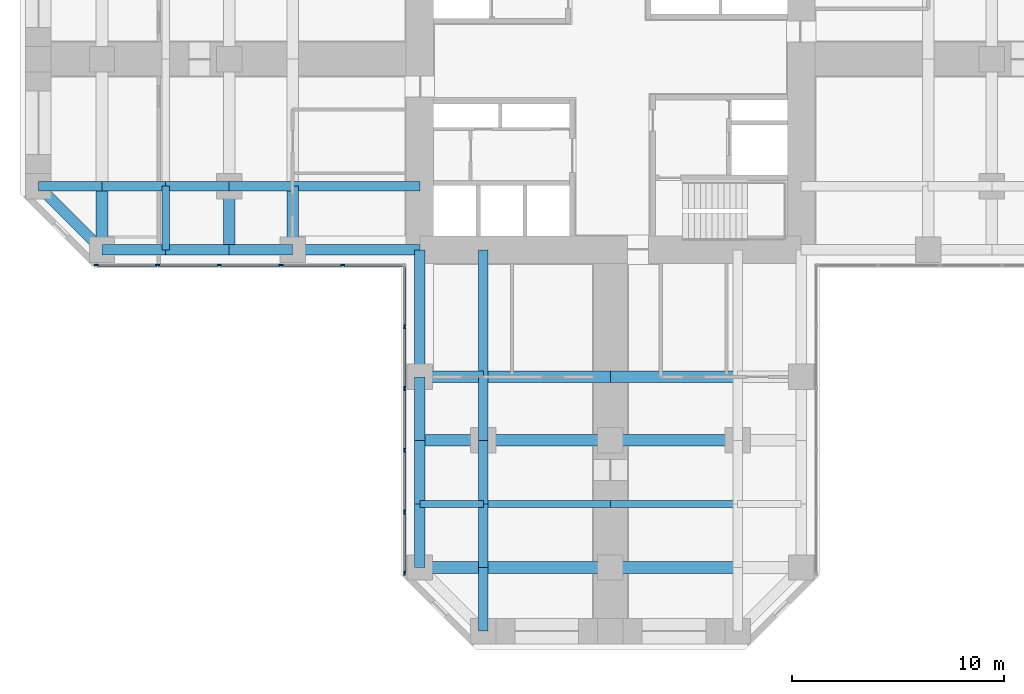
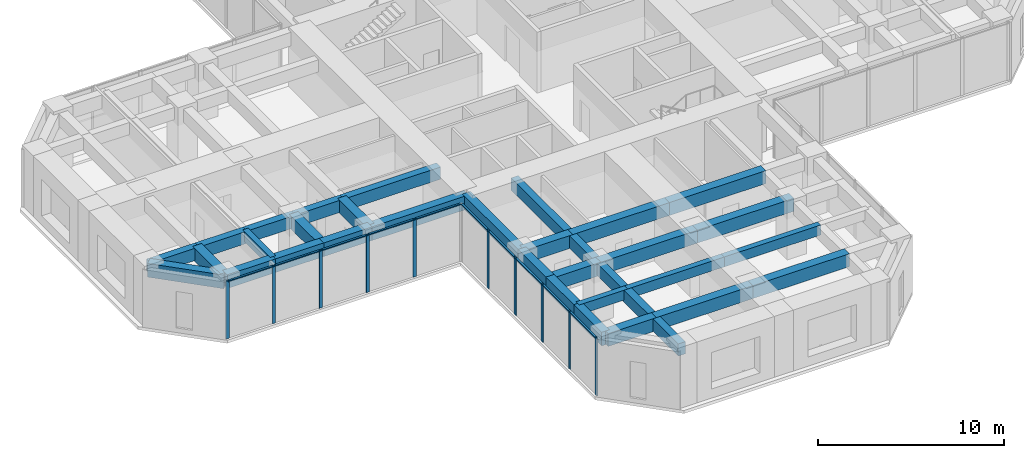
# One storey, part 2 of 12: 35 beams, 20 members, 2 elements without a shape of their own.
"""IFC4 building model written with IfcOpenShell, lengths in metres."""

import ifcopenshell
import ifcopenshell.guid

model = None  # the IFC model being written
_history = None  # IfcOwnerHistory: only IFC2X3 demands one
_inside = {}  # id of a spatial element -> (the spatial element, [elements in it])
_under = {}  # id of a project, library or spatial element -> (it, [spatial elements below it])
_declared = {}  # id of a project -> (the project, [libraries it declares])
_typed = {}  # id of a type object -> (the type object, [elements of that type])
_made_of = {}  # id of a material, layer set ... -> (it, [elements and type objects made of it])


def new_model(schema):
    """Start an empty IFC model of exactly this schema.

    Asked for "IFC4X3", IfcOpenShell would pick the latest addendum, in which some entities
    have other attributes; the version numbers below select the first issue.
    IFC2X3 requires an IfcOwnerHistory on every rooted entity: one is made here for all.
    """
    global model, _history
    if schema == "IFC4X3":
        model = ifcopenshell.file(schema_version=(4, 3, 0, 0))
    else:
        model = ifcopenshell.file(schema=schema)
    _inside.clear()
    _under.clear()
    _declared.clear()
    _typed.clear()
    _made_of.clear()
    _history = None
    if model.schema == "IFC2X3":
        org = make("IfcOrganization", Name="unknown")
        user = make(
            "IfcPersonAndOrganization",
            ThePerson=make("IfcPerson", FamilyName="unknown"),
            TheOrganization=org,
        )
        app = make(
            "IfcApplication",
            ApplicationDeveloper=org,
            Version="unknown",
            ApplicationFullName="unknown",
            ApplicationIdentifier="unknown",
        )
        _history = make(
            "IfcOwnerHistory",
            OwningUser=user,
            OwningApplication=app,
            ChangeAction="ADDED",
            CreationDate=0,
        )
    return model


def make(cls, **values):
    """One entity of the class cls with the attributes given. An attribute that is None is left unset."""
    return model.create_entity(
        cls, **{name: value for name, value in values.items() if value is not None}
    )


def rooted(cls, **values):
    """An entity with a GlobalId (a new one), such as an element, a storey or a relation."""
    return make(cls, GlobalId=ifcopenshell.guid.new(), OwnerHistory=_history, **values)


def si_unit(unit_type, name, prefix=None):
    """IfcSIUnit, for example si_unit("LENGTHUNIT", "METRE", prefix="MILLI")."""
    return make("IfcSIUnit", UnitType=unit_type, Prefix=prefix, Name=name)


def assignment(units):
    """IfcUnitAssignment: the units of a project."""
    return None if units is None else make("IfcUnitAssignment", Units=units)


def point(xyz):
    """IfcCartesianPoint."""
    return None if xyz is None else make("IfcCartesianPoint", Coordinates=xyz)


def direction(xyz):
    """IfcDirection."""
    return None if xyz is None else make("IfcDirection", DirectionRatios=xyz)


def frame(location, z_axis=None, x_axis=None):
    """IfcAxis2Placement3D, a coordinate frame: its origin and axes. An axis left out is left unset."""
    return make(
        "IfcAxis2Placement3D",
        Location=point(location),
        Axis=direction(z_axis),
        RefDirection=direction(x_axis),
    )


def frame_2d(location, x_axis=None):
    """IfcAxis2Placement2D, a coordinate frame in the plane: its origin and x axis."""
    return make(
        "IfcAxis2Placement2D", Location=point(location), RefDirection=direction(x_axis)
    )


def origin():
    """The frame at (0, 0, 0) with its axes left unset."""
    return frame((0.0, 0.0, 0.0))


def origin_2d():
    """The frame at (0, 0) in the plane with its x axis left unset."""
    return frame_2d((0.0, 0.0))


def place(relative_to, where):
    """IfcLocalPlacement: puts the frame where relative to a parent placement (None: the world)."""
    return make(
        "IfcLocalPlacement", PlacementRelTo=relative_to, RelativePlacement=where
    )


def context(
    kind, dimensions, precision=None, world=None, true_north=None, identifier=None
):
    """IfcGeometricRepresentationContext, for example the 3D "Model" context."""
    return make(
        "IfcGeometricRepresentationContext",
        ContextIdentifier=identifier,
        ContextType=kind,
        CoordinateSpaceDimension=dimensions,
        Precision=precision,
        WorldCoordinateSystem=world,
        TrueNorth=true_north,
    )


def subcontext(parent, identifier, kind, view, scale=None):
    """IfcGeometricRepresentationSubContext, for example "Body" below "Model"."""
    return make(
        "IfcGeometricRepresentationSubContext",
        ContextIdentifier=identifier,
        ContextType=kind,
        ParentContext=parent,
        TargetScale=scale,
        TargetView=view,
    )


def project(units=None, contexts=None):
    """IfcProject with its units and contexts."""
    return rooted(
        "IfcProject",
        Name="project",
        RepresentationContexts=contexts,
        UnitsInContext=assignment(units),
    )


def spatial(cls, under=None, at=None, **own):
    """A site, building, storey or space (cls), placed at a placement, below another one or the project."""
    s = rooted(cls, ObjectPlacement=at, **own)
    if under is not None:
        _under.setdefault(under.id(), (under, []))[1].append(s)
    return s


def profile(cls, at=None, kind="AREA", **sizes):
    """A parametric profile (cls). Its sizes go by their IFC names, for example OverallWidth=200.0."""
    return make(cls, ProfileType=kind, Position=at, **sizes)


def rectangle(**sizes):
    """IfcRectangleProfileDef."""
    return profile("IfcRectangleProfileDef", **sizes)


def extrude(swept, where, along, depth):
    """IfcExtrudedAreaSolid: the profile swept, set in the frame where, extruded along a direction by depth."""
    return make(
        "IfcExtrudedAreaSolid",
        SweptArea=swept,
        Position=where,
        ExtrudedDirection=direction(along),
        Depth=depth,
    )


def shape(context_of_items, identifier, shape_type, items):
    """IfcShapeRepresentation: the items that make up one representation, for example the "Body"."""
    return make(
        "IfcShapeRepresentation",
        ContextOfItems=context_of_items,
        RepresentationIdentifier=identifier,
        RepresentationType=shape_type,
        Items=items,
    )


def material(Name=None, Category=None):
    """IfcMaterial."""
    return make("IfcMaterial", Name=Name, Category=Category)


def material_profile(
    of_material, cross_section, Name=None, Category=None, Priority=None
):
    """IfcMaterialProfile: a cross section and its material."""
    return make(
        "IfcMaterialProfile",
        Name=Name,
        Material=of_material,
        Profile=cross_section,
        Priority=Priority,
        Category=Category,
    )


def profile_set(profiles, Name=None, composite=None):
    """IfcMaterialProfileSet."""
    return make(
        "IfcMaterialProfileSet",
        Name=Name,
        MaterialProfiles=profiles,
        CompositeProfile=composite,
    )


def made_of(thing, what):
    """Note that an element or type object is made of a material, layer set ...; save() writes the relation."""
    if what is not None:
        _made_of.setdefault(what.id(), (what, []))[1].append(thing)
    return thing


def type_object(cls, material=None, **own):
    """A type object (cls), such as IfcWallType, which elements share."""
    return made_of(rooted(cls, **own), material)


def element(
    cls,
    number,
    at=None,
    inside=None,
    cuts=None,
    type_object=None,
    material=None,
    context=None,
    identifier="Body",
    shape_type=None,
    held_by="IfcProductDefinitionShape",
    body=None,
    shapes=None,
    **own,
):
    """One element of the class cls, such as IfcWall. Its Tag is "e" and its number.

    at: its placement. inside: the storey or other place that contains it. cuts: it is an
    opening in that element (IfcRelVoidsElement). A single representation is given by context,
    identifier, shape_type and body (its items); several are given by shapes. held_by: the class
    of the entity that holds the representations. save() writes the other relations.
    """
    e = rooted(cls, Tag="e%d" % number, ObjectPlacement=at, **own)
    if body is not None:
        shapes = [shape(context, identifier, shape_type, body)]
    if shapes is not None:
        e.Representation = make(held_by, Representations=shapes)
    if inside is not None:
        _inside.setdefault(inside.id(), (inside, []))[1].append(e)
    if cuts is not None:
        rooted(
            "IfcRelVoidsElement", RelatingBuildingElement=cuts, RelatedOpeningElement=e
        )
    if type_object is not None:
        _typed.setdefault(type_object.id(), (type_object, []))[1].append(e)
    return made_of(e, material)


def aggregate(whole, parts):
    """IfcRelAggregates: a whole, such as a stair, and the parts it consists of."""
    return rooted("IfcRelAggregates", RelatingObject=whole, RelatedObjects=parts)


def save(model, path):
    """Write the relations noted so far, then the file.

    IfcRelAggregates (storeys below a building ...), IfcRelContainedInSpatialStructure (elements
    in a storey), IfcRelDefinesByType, IfcRelAssociatesMaterial and IfcRelDeclares: one each for
    every whole, place, type object, material and project.
    """
    for whole, parts in _under.values():
        aggregate(whole, parts)
    for where, things in _inside.values():
        rooted(
            "IfcRelContainedInSpatialStructure",
            RelatedElements=things,
            RelatingStructure=where,
        )
    for kind, things in _typed.values():
        rooted("IfcRelDefinesByType", RelatedObjects=things, RelatingType=kind)
    for what, things in _made_of.values():
        rooted("IfcRelAssociatesMaterial", RelatedObjects=things, RelatingMaterial=what)
    for by, libraries in _declared.values():
        rooted("IfcRelDeclares", RelatingContext=by, RelatedDefinitions=libraries)
    model.write(path)


model = new_model("IFC4")

# Units and contexts
model_context = context("Model", 3, precision=1e-05, world=origin(), true_north=direction((0.0, 1.0)))
body_context = subcontext(model_context, "Body", "Model", "MODEL_VIEW")
ifc_project = project(units=[si_unit("LENGTHUNIT", "METRE"), si_unit("AREAUNIT", "SQUARE_METRE"), si_unit("VOLUMEUNIT", "CUBIC_METRE"), si_unit("PLANEANGLEUNIT", "RADIAN"), si_unit("MASSUNIT", "GRAM", prefix="KILO")], contexts=[model_context])

# Site, building, storey
site_placement = place(None, origin())
site = spatial("IfcSite", under=ifc_project, at=site_placement, CompositionType="ELEMENT")
building_placement = place(site_placement, origin())
building = spatial("IfcBuilding", under=site, at=building_placement, Name="Torre Cruceta", CompositionType="ELEMENT")
storey_placement = place(building_placement, frame((0.0, 0.0, 35.5)))
storey = spatial("IfcBuildingStorey", under=building, at=storey_placement, Name="L08", CompositionType="ELEMENT", Elevation=35.5)

# Beams
ifc_material_1 = material(Name="Concrete G60 (fck 60 MPa)", Category="concrete")
ifc_material_profile_1 = material_profile(ifc_material_1, rectangle(XDim=0.449951171875, YDim=0.800048828125, at=origin_2d()), Name="RC 450X800")
ifc_profile_set_1 = profile_set([ifc_material_profile_1], Name="Concrete G60 (fck 60 MPa)")
beam_type_1 = type_object("IfcBeamType", Name="COLUMN LINE BEAM RC 450X800", PredefinedType="BEAM", material=ifc_profile_set_1)
beam_1_placement = place(storey_placement, frame((-6.0, -9.0, 3.39990234375), z_axis=(0.0, -1.0, 0.0), x_axis=(1.0, 0.0, 0.0)))
element("IfcBeam", 1, at=beam_1_placement, inside=storey, type_object=beam_type_1, Name="LB1 L08 S col- 1", PredefinedType="BEAM", context=body_context, shape_type="SweptSolid", body=[
    extrude(rectangle(XDim=0.449951171875, YDim=0.800048828125, at=origin_2d()), origin(), (0.0, 0.0, 1.0), 6.0),
])
for number, where, z_axis, x_axis, name in (
    (2, (-6.0, -15.0, 3.39990234375), (0.0, -1.0, 0.0), (1.0, 0.0, 0.0), "LB1 L08 S col- 2"),
    (3, (-6.0, -18.0, 3.39990234375), (0.0, -1.0, 0.0), (1.0, 0.0, 0.0), "LB1 L08 S col- 3"),
    (4, (-6.0, -21.0, 3.39990234375), (0.0, -1.0, 0.0), (1.0, 0.0, 0.0), "LB1 L08 S col- 4"),
    (5, (-6.0, -24.0, 3.39990234375), (0.0, -1.0, 0.0), (1.0, 0.0, 0.0), "LB1 L08 S col- 5"),
):
    element("IfcBeam", number, at=place(storey_placement, frame(where, z_axis=z_axis, x_axis=x_axis)), inside=storey, type_object=beam_type_1, Name=name, PredefinedType="BEAM", context=body_context, shape_type="SweptSolid", body=[
        extrude(rectangle(XDim=0.449951171875, YDim=0.800048828125, at=origin_2d()), origin(), (0.0, 0.0, 1.0), 3.0),
    ])
beam_2_placement = place(storey_placement, frame((-9.0, -6.0, 3.39990234375), z_axis=(-1.0, 0.0, 0.0), x_axis=(0.0, -1.0, 0.0)))
element("IfcBeam", 6, at=beam_2_placement, inside=storey, type_object=beam_type_1, Name="LB1 L08 W col+ 1", PredefinedType="BEAM", context=body_context, shape_type="SweptSolid", body=[
    extrude(rectangle(XDim=0.449951171875, YDim=0.800048828125, at=origin_2d()), origin(), (0.0, 0.0, 1.0), 6.0),
])
for number, where, z_axis, x_axis, name in (
    (7, (-15.0, -6.0, 3.39990234375), (-1.0, 0.0, 0.0), (0.0, -1.0, 0.0), "LB1 L08 W col+ 2"),
    (8, (-18.0, -6.0, 3.39990234375), (-1.0, 0.0, 0.0), (0.0, -1.0, 0.0), "LB1 L08 W col+ 3"),
    (9, (-21.0, -6.0, 3.39990234375), (-1.0, 0.0, 0.0), (0.0, -1.0, 0.0), "LB1 L08 W col+ 4"),
    (10, (-24.0, -6.0, 3.39990234375), (-1.0, 0.0, 0.0), (0.0, -1.0, 0.0), "LB1 L08 W col+ 5"),
):
    element("IfcBeam", number, at=place(storey_placement, frame(where, z_axis=z_axis, x_axis=x_axis)), inside=storey, type_object=beam_type_1, Name=name, PredefinedType="BEAM", context=body_context, shape_type="SweptSolid", body=[
        extrude(rectangle(XDim=0.449951171875, YDim=0.800048828125, at=origin_2d()), origin(), (0.0, 0.0, 1.0), 3.0),
    ])
ifc_material_2 = material(Name="Concrete G60 (fck 60 MPa)", Category="concrete")
ifc_material_profile_2 = material_profile(ifc_material_2, rectangle(XDim=0.550048828125, YDim=0.85009765625, at=origin_2d()), Name="RC 550X850")
ifc_profile_set_2 = profile_set([ifc_material_profile_2], Name="Concrete G60 (fck 60 MPa)")
beam_type_2 = type_object("IfcBeamType", Name="CROSS BEAM RC 550X850", PredefinedType="BEAM", material=ifc_profile_set_2)
beam_3_placement = place(storey_placement, frame((-9.0, -15.0, 3.375), z_axis=(1.0, 0.0, 0.0), x_axis=(0.0, 1.0, 0.0)))
element("IfcBeam", 11, at=beam_3_placement, inside=storey, type_object=beam_type_2, Name="GB4 L08 S cross15 1", PredefinedType="BEAM", context=body_context, shape_type="SweptSolid", body=[
    extrude(rectangle(XDim=0.550048828125, YDim=0.85009765625, at=origin_2d()), origin(), (0.0, 0.0, 1.0), 3.0),
])
for number, where, z_axis, x_axis, name in (
    (12, (-6.0, -15.0, 3.375), (1.0, 0.0, 0.0), (0.0, 1.0, 0.0), "GB4 L08 S cross15 2"),
    (13, (0.0, -15.0, 3.375), (1.0, 0.0, 0.0), (0.0, 1.0, 0.0), "GB4 L08 S cross15 3"),
):
    element("IfcBeam", number, at=place(storey_placement, frame(where, z_axis=z_axis, x_axis=x_axis)), inside=storey, type_object=beam_type_2, Name=name, PredefinedType="BEAM", context=body_context, shape_type="SweptSolid", body=[
        extrude(rectangle(XDim=0.550048828125, YDim=0.85009765625, at=origin_2d()), origin(), (0.0, 0.0, 1.0), 6.0),
    ])
beam_4_placement = place(storey_placement, frame((-9.0, -18.0, 3.375), z_axis=(1.0, 0.0, 0.0), x_axis=(0.0, 1.0, 0.0)))
element("IfcBeam", 14, at=beam_4_placement, inside=storey, type_object=beam_type_2, Name="GB4 L08 S cross18 1", PredefinedType="BEAM", context=body_context, shape_type="SweptSolid", body=[
    extrude(rectangle(XDim=0.550048828125, YDim=0.85009765625, at=origin_2d()), origin(), (0.0, 0.0, 1.0), 3.0),
])
for number, where, z_axis, x_axis, name in (
    (15, (-6.0, -18.0, 3.375), (1.0, 0.0, 0.0), (0.0, 1.0, 0.0), "GB4 L08 S cross18 2"),
    (16, (0.0, -18.0, 3.375), (1.0, 0.0, 0.0), (0.0, 1.0, 0.0), "GB4 L08 S cross18 3"),
):
    element("IfcBeam", number, at=place(storey_placement, frame(where, z_axis=z_axis, x_axis=x_axis)), inside=storey, type_object=beam_type_2, Name=name, PredefinedType="BEAM", context=body_context, shape_type="SweptSolid", body=[
        extrude(rectangle(XDim=0.550048828125, YDim=0.85009765625, at=origin_2d()), origin(), (0.0, 0.0, 1.0), 6.0),
    ])
beam_5_placement = place(storey_placement, frame((-9.0, -24.0, 3.375), z_axis=(1.0, 0.0, 0.0), x_axis=(0.0, 1.0, 0.0)))
element("IfcBeam", 17, at=beam_5_placement, inside=storey, type_object=beam_type_2, Name="GB4 L08 S cross24 1", PredefinedType="BEAM", context=body_context, shape_type="SweptSolid", body=[
    extrude(rectangle(XDim=0.550048828125, YDim=0.85009765625, at=origin_2d()), origin(), (0.0, 0.0, 1.0), 3.0),
])
for number, where, z_axis, x_axis, name in (
    (18, (-6.0, -24.0, 3.375), (1.0, 0.0, 0.0), (0.0, 1.0, 0.0), "GB4 L08 S cross24 2"),
    (19, (0.0, -24.0, 3.375), (1.0, 0.0, 0.0), (0.0, 1.0, 0.0), "GB4 L08 S cross24 3"),
):
    element("IfcBeam", number, at=place(storey_placement, frame(where, z_axis=z_axis, x_axis=x_axis)), inside=storey, type_object=beam_type_2, Name=name, PredefinedType="BEAM", context=body_context, shape_type="SweptSolid", body=[
        extrude(rectangle(XDim=0.550048828125, YDim=0.85009765625, at=origin_2d()), origin(), (0.0, 0.0, 1.0), 6.0),
    ])
for number, where, z_axis, x_axis, name in (
    (20, (-15.0, -6.0, 3.375), (0.0, -1.0, 0.0), (1.0, 0.0, 0.0), "GB4 L08 W cross15 4"),
    (21, (-18.0, -6.0, 3.375), (0.0, -1.0, 0.0), (1.0, 0.0, 0.0), "GB4 L08 W cross18 4"),
    (22, (-24.0, -6.0, 3.375), (0.0, -1.0, 0.0), (1.0, 0.0, 0.0), "GB4 L08 W cross24 4"),
):
    element("IfcBeam", number, at=place(storey_placement, frame(where, z_axis=z_axis, x_axis=x_axis)), inside=storey, type_object=beam_type_2, Name=name, PredefinedType="BEAM", context=body_context, shape_type="SweptSolid", body=[
        extrude(rectangle(XDim=0.550048828125, YDim=0.85009765625, at=origin_2d()), origin(), (0.0, 0.0, 1.0), 3.0),
    ])

# Curtain wall, members
ifc_material_3 = material(Name="Aluminium unitised curtain wall", Category="aluminium")
curtain_wall_type = type_object("IfcCurtainWallType", Name="CURTAIN WALL CW-A OFFICE LOW RISE", PredefinedType="USERDEFINED", material=ifc_material_3)
curtain_wall_1_placement = place(storey_placement, origin())
curtain_wall_1 = element("IfcCurtainWall", 23, at=curtain_wall_1_placement, inside=storey, type_object=curtain_wall_type, Name="CW-A L08 W side 14", ObjectType="UNITISED", PredefinedType="USERDEFINED")
ifc_material_4 = material(Name="Aluminium mullion", Category="aluminium")
ifc_material_profile_3 = material_profile(ifc_material_4, rectangle(XDim=0.06494140625, YDim=0.199951171875, at=origin_2d()), Name="AL 65X200")
ifc_profile_set_3 = profile_set([ifc_material_profile_3], Name="Aluminium mullion")
member_type_1 = type_object("IfcMemberType", Name="CW-A MULLION 65X200", PredefinedType="MULLION", material=ifc_profile_set_3)
member_1_placement = place(storey_placement, frame((-24.265625, -9.719970703125, 0.0), z_axis=(0.0, 0.0, 1.0), x_axis=(0.0, 1.0, 0.0)))
member_1 = element("IfcMember", 24, at=member_1_placement, type_object=member_type_1, Name="CW-A mullion 1", PredefinedType="MULLION", context=body_context, shape_type="SweptSolid", body=[
    extrude(rectangle(XDim=0.06494140625, YDim=0.199951171875, at=origin_2d()), origin(), (0.0, 0.0, 1.0), 3.800048828125),
])
member_2_placement = place(storey_placement, frame((-21.382568359375, -9.719970703125, 0.0), z_axis=(0.0, 0.0, 1.0), x_axis=(0.0, 1.0, 0.0)))
member_2 = element("IfcMember", 25, at=member_2_placement, type_object=member_type_1, Name="CW-A mullion 2", PredefinedType="MULLION", context=body_context, shape_type="SweptSolid", body=[
    extrude(rectangle(XDim=0.06494140625, YDim=0.199951171875, at=origin_2d()), origin(), (0.0, 0.0, 1.0), 3.800048828125),
])
member_3_placement = place(storey_placement, frame((-18.467041015625, -9.719970703125, 0.0), z_axis=(0.0, 0.0, 1.0), x_axis=(0.0, 1.0, 0.0)))
member_3 = element("IfcMember", 26, at=member_3_placement, type_object=member_type_1, Name="CW-A mullion 3", PredefinedType="MULLION", context=body_context, shape_type="SweptSolid", body=[
    extrude(rectangle(XDim=0.06494140625, YDim=0.199951171875, at=origin_2d()), origin(), (0.0, 0.0, 1.0), 3.800048828125),
])
member_4_placement = place(storey_placement, frame((-15.55126953125, -9.719970703125, 0.0), z_axis=(0.0, 0.0, 1.0), x_axis=(0.0, 1.0, 0.0)))
member_4 = element("IfcMember", 27, at=member_4_placement, type_object=member_type_1, Name="CW-A mullion 4", PredefinedType="MULLION", context=body_context, shape_type="SweptSolid", body=[
    extrude(rectangle(XDim=0.06494140625, YDim=0.199951171875, at=origin_2d()), origin(), (0.0, 0.0, 1.0), 3.800048828125),
])
member_5_placement = place(storey_placement, frame((-12.6357421875, -9.719970703125, 0.0), z_axis=(0.0, 0.0, 1.0), x_axis=(0.0, 1.0, 0.0)))
member_5 = element("IfcMember", 28, at=member_5_placement, type_object=member_type_1, Name="CW-A mullion 5", PredefinedType="MULLION", context=body_context, shape_type="SweptSolid", body=[
    extrude(rectangle(XDim=0.06494140625, YDim=0.199951171875, at=origin_2d()), origin(), (0.0, 0.0, 1.0), 3.800048828125),
])

curtain_wall_2_placement = place(storey_placement, origin())
curtain_wall_2 = element("IfcCurtainWall", 29, at=curtain_wall_2_placement, inside=storey, type_object=curtain_wall_type, Name="CW-A L08 S side 15", ObjectType="UNITISED", PredefinedType="USERDEFINED")
member_6_placement = place(storey_placement, frame((-9.719970703125, -12.6357421875, 0.0), z_axis=(0.0, 0.0, 1.0), x_axis=(1.0, 0.0, 0.0)))
member_6 = element("IfcMember", 30, at=member_6_placement, type_object=member_type_1, Name="CW-A mullion 2", PredefinedType="MULLION", context=body_context, shape_type="SweptSolid", body=[
    extrude(rectangle(XDim=0.06494140625, YDim=0.199951171875, at=origin_2d()), origin(), (0.0, 0.0, 1.0), 3.800048828125),
])
member_7_placement = place(storey_placement, frame((-9.719970703125, -15.55126953125, 0.0), z_axis=(0.0, 0.0, 1.0), x_axis=(1.0, 0.0, 0.0)))
member_7 = element("IfcMember", 31, at=member_7_placement, type_object=member_type_1, Name="CW-A mullion 3", PredefinedType="MULLION", context=body_context, shape_type="SweptSolid", body=[
    extrude(rectangle(XDim=0.06494140625, YDim=0.199951171875, at=origin_2d()), origin(), (0.0, 0.0, 1.0), 3.800048828125),
])
member_8_placement = place(storey_placement, frame((-9.719970703125, -18.467041015625, 0.0), z_axis=(0.0, 0.0, 1.0), x_axis=(1.0, 0.0, 0.0)))
member_8 = element("IfcMember", 32, at=member_8_placement, type_object=member_type_1, Name="CW-A mullion 4", PredefinedType="MULLION", context=body_context, shape_type="SweptSolid", body=[
    extrude(rectangle(XDim=0.06494140625, YDim=0.199951171875, at=origin_2d()), origin(), (0.0, 0.0, 1.0), 3.800048828125),
])
member_9_placement = place(storey_placement, frame((-9.719970703125, -21.382568359375, 0.0), z_axis=(0.0, 0.0, 1.0), x_axis=(1.0, 0.0, 0.0)))
member_9 = element("IfcMember", 33, at=member_9_placement, type_object=member_type_1, Name="CW-A mullion 5", PredefinedType="MULLION", context=body_context, shape_type="SweptSolid", body=[
    extrude(rectangle(XDim=0.06494140625, YDim=0.199951171875, at=origin_2d()), origin(), (0.0, 0.0, 1.0), 3.800048828125),
])
member_10_placement = place(storey_placement, frame((-9.719970703125, -24.265625, 0.0), z_axis=(0.0, 0.0, 1.0), x_axis=(1.0, 0.0, 0.0)))
member_10 = element("IfcMember", 34, at=member_10_placement, type_object=member_type_1, Name="CW-A mullion 6", PredefinedType="MULLION", context=body_context, shape_type="SweptSolid", body=[
    extrude(rectangle(XDim=0.06494140625, YDim=0.199951171875, at=origin_2d()), origin(), (0.0, 0.0, 1.0), 3.800048828125),
])

# Member
ifc_material_5 = material(Name="Aluminium transom", Category="aluminium")
ifc_material_profile_4 = material_profile(ifc_material_5, rectangle(XDim=0.1201171875, YDim=0.06494140625, at=origin_2d()), Name="AL 120X65")
ifc_profile_set_4 = profile_set([ifc_material_profile_4], Name="Aluminium transom")
member_type_2 = type_object("IfcMemberType", Name="CW-A TRANSOM 65X120", PredefinedType="USERDEFINED", material=ifc_profile_set_4)
member_11_placement = place(storey_placement, frame((-24.233154296875, -9.719970703125, 3.767578125), z_axis=(1.0, 0.0, 0.0), x_axis=(0.0, 1.0, 0.0)))
member_11 = element("IfcMember", 35, at=member_11_placement, type_object=member_type_2, Name="CW-A transom 1", ObjectType="TRANSOM", PredefinedType="USERDEFINED", context=body_context, shape_type="SweptSolid", body=[
    extrude(rectangle(XDim=0.1201171875, YDim=0.06494140625, at=origin_2d()), origin(), (0.0, 0.0, 1.0), 2.818115234375),
])

member_12_placement = place(storey_placement, frame((-21.35009765625, -9.719970703125, 3.767578125), z_axis=(1.0, 0.0, 0.0), x_axis=(0.0, 1.0, 0.0)))
member_12 = element("IfcMember", 36, at=member_12_placement, type_object=member_type_2, Name="CW-A transom 2", ObjectType="TRANSOM", PredefinedType="USERDEFINED", context=body_context, shape_type="SweptSolid", body=[
    extrude(rectangle(XDim=0.1201171875, YDim=0.06494140625, at=origin_2d()), origin(), (0.0, 0.0, 1.0), 2.8505859375),
])

member_13_placement = place(storey_placement, frame((-18.434326171875, -9.719970703125, 3.767578125), z_axis=(1.0, 0.0, 0.0), x_axis=(0.0, 1.0, 0.0)))
member_13 = element("IfcMember", 37, at=member_13_placement, type_object=member_type_2, Name="CW-A transom 3", ObjectType="TRANSOM", PredefinedType="USERDEFINED", context=body_context, shape_type="SweptSolid", body=[
    extrude(rectangle(XDim=0.1201171875, YDim=0.06494140625, at=origin_2d()), origin(), (0.0, 0.0, 1.0), 2.8505859375),
])

member_14_placement = place(storey_placement, frame((-15.518798828125, -9.719970703125, 3.767578125), z_axis=(1.0, 0.0, 0.0), x_axis=(0.0, 1.0, 0.0)))
member_14 = element("IfcMember", 38, at=member_14_placement, type_object=member_type_2, Name="CW-A transom 4", ObjectType="TRANSOM", PredefinedType="USERDEFINED", context=body_context, shape_type="SweptSolid", body=[
    extrude(rectangle(XDim=0.1201171875, YDim=0.06494140625, at=origin_2d()), origin(), (0.0, 0.0, 1.0), 2.8505859375),
])

member_15_placement = place(storey_placement, frame((-12.60302734375, -9.719970703125, 3.767578125), z_axis=(1.0, 0.0, 0.0), x_axis=(0.0, 1.0, 0.0)))
member_15 = element("IfcMember", 39, at=member_15_placement, type_object=member_type_2, Name="CW-A transom 5", ObjectType="TRANSOM", PredefinedType="USERDEFINED", context=body_context, shape_type="SweptSolid", body=[
    extrude(rectangle(XDim=0.1201171875, YDim=0.06494140625, at=origin_2d()), origin(), (0.0, 0.0, 1.0), 2.818115234375),
])

aggregate(curtain_wall_1, [member_1, member_2, member_3, member_4, member_5, member_11, member_12, member_13, member_14, member_15])

member_16_placement = place(storey_placement, frame((-9.719970703125, -9.784912109375, 3.767578125), z_axis=(0.0, -1.0, 0.0), x_axis=(1.0, 0.0, 0.0)))
member_16 = element("IfcMember", 40, at=member_16_placement, type_object=member_type_2, Name="CW-A transom 1", ObjectType="TRANSOM", PredefinedType="USERDEFINED", context=body_context, shape_type="SweptSolid", body=[
    extrude(rectangle(XDim=0.1201171875, YDim=0.06494140625, at=origin_2d()), origin(), (0.0, 0.0, 1.0), 2.818115234375),
])

member_17_placement = place(storey_placement, frame((-9.719970703125, -12.668212890625, 3.767578125), z_axis=(0.0, -1.0, 0.0), x_axis=(1.0, 0.0, 0.0)))
member_17 = element("IfcMember", 41, at=member_17_placement, type_object=member_type_2, Name="CW-A transom 2", ObjectType="TRANSOM", PredefinedType="USERDEFINED", context=body_context, shape_type="SweptSolid", body=[
    extrude(rectangle(XDim=0.1201171875, YDim=0.06494140625, at=origin_2d()), origin(), (0.0, 0.0, 1.0), 2.8505859375),
])

member_18_placement = place(storey_placement, frame((-9.719970703125, -15.583740234375, 3.767578125), z_axis=(0.0, -1.0, 0.0), x_axis=(1.0, 0.0, 0.0)))
member_18 = element("IfcMember", 42, at=member_18_placement, type_object=member_type_2, Name="CW-A transom 3", ObjectType="TRANSOM", PredefinedType="USERDEFINED", context=body_context, shape_type="SweptSolid", body=[
    extrude(rectangle(XDim=0.1201171875, YDim=0.06494140625, at=origin_2d()), origin(), (0.0, 0.0, 1.0), 2.8505859375),
])

member_19_placement = place(storey_placement, frame((-9.719970703125, -18.49951171875, 3.767578125), z_axis=(0.0, -1.0, 0.0), x_axis=(1.0, 0.0, 0.0)))
member_19 = element("IfcMember", 43, at=member_19_placement, type_object=member_type_2, Name="CW-A transom 4", ObjectType="TRANSOM", PredefinedType="USERDEFINED", context=body_context, shape_type="SweptSolid", body=[
    extrude(rectangle(XDim=0.1201171875, YDim=0.06494140625, at=origin_2d()), origin(), (0.0, 0.0, 1.0), 2.8505859375),
])

member_20_placement = place(storey_placement, frame((-9.719970703125, -21.4150390625, 3.767578125), z_axis=(0.0, -1.0, 0.0), x_axis=(1.0, 0.0, 0.0)))
member_20 = element("IfcMember", 44, at=member_20_placement, type_object=member_type_2, Name="CW-A transom 5", ObjectType="TRANSOM", PredefinedType="USERDEFINED", context=body_context, shape_type="SweptSolid", body=[
    extrude(rectangle(XDim=0.1201171875, YDim=0.06494140625, at=origin_2d()), origin(), (0.0, 0.0, 1.0), 2.818115234375),
])

aggregate(curtain_wall_2, [member_6, member_7, member_8, member_9, member_10, member_16, member_17, member_18, member_19, member_20])

# Beams
ifc_material_6 = material(Name="Concrete G60 (fck 60 MPa)", Category="concrete")
ifc_material_profile_5 = material_profile(ifc_material_6, rectangle(XDim=0.35009765625, YDim=0.64990234375, at=origin_2d()), Name="RC 350X650")
ifc_profile_set_5 = profile_set([ifc_material_profile_5], Name="Concrete G60 (fck 60 MPa)")
beam_type_3 = type_object("IfcBeamType", Name="SECONDARY BEAM RC 350X650", PredefinedType="JOIST", material=ifc_profile_set_5)
beam_6_placement = place(storey_placement, frame((-9.0, -21.0, 3.47509765625), z_axis=(1.0, 0.0, 0.0), x_axis=(0.0, 1.0, 0.0)))
element("IfcBeam", 45, at=beam_6_placement, inside=storey, type_object=beam_type_3, Name="JB3 L08 S sec21 1", PredefinedType="JOIST", context=body_context, shape_type="SweptSolid", body=[
    extrude(rectangle(XDim=0.35009765625, YDim=0.64990234375, at=origin_2d()), origin(), (0.0, 0.0, 1.0), 3.0),
])
for number, where, z_axis, x_axis, name in (
    (46, (-6.0, -21.0, 3.47509765625), (1.0, 0.0, 0.0), (0.0, 1.0, 0.0), "JB3 L08 S sec21 2"),
    (47, (0.0, -21.0, 3.47509765625), (1.0, 0.0, 0.0), (0.0, 1.0, 0.0), "JB3 L08 S sec21 3"),
):
    element("IfcBeam", number, at=place(storey_placement, frame(where, z_axis=z_axis, x_axis=x_axis)), inside=storey, type_object=beam_type_3, Name=name, PredefinedType="JOIST", context=body_context, shape_type="SweptSolid", body=[
        extrude(rectangle(XDim=0.35009765625, YDim=0.64990234375, at=origin_2d()), origin(), (0.0, 0.0, 1.0), 6.0),
    ])
beam_7_placement = place(storey_placement, frame((-21.0, -6.0, 3.47509765625), z_axis=(0.0, -1.0, 0.0), x_axis=(1.0, 0.0, 0.0)))
element("IfcBeam", 48, at=beam_7_placement, inside=storey, type_object=beam_type_3, Name="JB3 L08 W sec21 4", PredefinedType="JOIST", context=body_context, shape_type="SweptSolid", body=[
    extrude(rectangle(XDim=0.35009765625, YDim=0.64990234375, at=origin_2d()), origin(), (0.0, 0.0, 1.0), 3.0),
])
ifc_material_7 = material(Name="Concrete G60 (fck 60 MPa)", Category="concrete")
ifc_material_profile_6 = material_profile(ifc_material_7, rectangle(XDim=0.5, YDim=0.89990234375, at=origin_2d()), Name="RC 500X900")
ifc_profile_set_6 = profile_set([ifc_material_profile_6], Name="Concrete G60 (fck 60 MPa)")
beam_type_4 = type_object("IfcBeamType", Name="SPANDREL BEAM RC 500X900", PredefinedType="SPANDREL", material=ifc_profile_set_6)
beam_8_placement = place(storey_placement, frame((-9.0, -9.0, 3.35009765625), z_axis=(0.0, -1.0, 0.0), x_axis=(1.0, 0.0, 0.0)))
element("IfcBeam", 49, at=beam_8_placement, inside=storey, type_object=beam_type_4, Name="SB4 L08 S side- 1", PredefinedType="SPANDREL", context=body_context, shape_type="SweptSolid", body=[
    extrude(rectangle(XDim=0.5, YDim=0.89990234375, at=origin_2d()), origin(), (0.0, 0.0, 1.0), 6.0),
])
for number, where, z_axis, x_axis, name in (
    (50, (-9.0, -15.0, 3.35009765625), (0.0, -1.0, 0.0), (1.0, 0.0, 0.0), "SB4 L08 S side- 2"),
    (51, (-9.0, -18.0, 3.35009765625), (0.0, -1.0, 0.0), (1.0, 0.0, 0.0), "SB4 L08 S side- 3"),
    (52, (-9.0, -21.0, 3.35009765625), (0.0, -1.0, 0.0), (1.0, 0.0, 0.0), "SB4 L08 S side- 4"),
):
    element("IfcBeam", number, at=place(storey_placement, frame(where, z_axis=z_axis, x_axis=x_axis)), inside=storey, type_object=beam_type_4, Name=name, PredefinedType="SPANDREL", context=body_context, shape_type="SweptSolid", body=[
        extrude(rectangle(XDim=0.5, YDim=0.89990234375, at=origin_2d()), origin(), (0.0, 0.0, 1.0), 3.0),
    ])
beam_9_placement = place(storey_placement, frame((-9.0, -9.0, 3.35009765625), z_axis=(-1.0, 0.0, 0.0), x_axis=(0.0, -1.0, 0.0)))
element("IfcBeam", 53, at=beam_9_placement, inside=storey, type_object=beam_type_4, Name="SB4 L08 W side+ 1", PredefinedType="SPANDREL", context=body_context, shape_type="SweptSolid", body=[
    extrude(rectangle(XDim=0.5, YDim=0.89990234375, at=origin_2d()), origin(), (0.0, 0.0, 1.0), 6.0),
])
for number, where, z_axis, x_axis, name in (
    (54, (-15.0, -9.0, 3.35009765625), (-1.0, 0.0, 0.0), (0.0, -1.0, 0.0), "SB4 L08 W side+ 2"),
    (55, (-18.0, -9.0, 3.35009765625), (-1.0, 0.0, 0.0), (0.0, -1.0, 0.0), "SB4 L08 W side+ 3"),
    (56, (-21.0, -9.0, 3.35009765625), (-1.0, 0.0, 0.0), (0.0, -1.0, 0.0), "SB4 L08 W side+ 4"),
):
    element("IfcBeam", number, at=place(storey_placement, frame(where, z_axis=z_axis, x_axis=x_axis)), inside=storey, type_object=beam_type_4, Name=name, PredefinedType="SPANDREL", context=body_context, shape_type="SweptSolid", body=[
        extrude(rectangle(XDim=0.5, YDim=0.89990234375, at=origin_2d()), origin(), (0.0, 0.0, 1.0), 3.0),
    ])
beam_10_placement = place(storey_placement, frame((-24.0, -9.0, 3.35009765625), z_axis=(-0.707106781187, 0.707106781187, 0.0), x_axis=(-0.707106781187, -0.707106781187, 0.0)))
element("IfcBeam", 57, at=beam_10_placement, inside=storey, type_object=beam_type_4, Name="SB4 L08 W side+ 5", PredefinedType="SPANDREL", context=body_context, shape_type="SweptSolid", body=[
    extrude(rectangle(XDim=0.5, YDim=0.89990234375, at=origin_2d()), origin(), (0.0, 0.0, 1.0), 4.24267578125),
])

save(model, "model.ifc")
